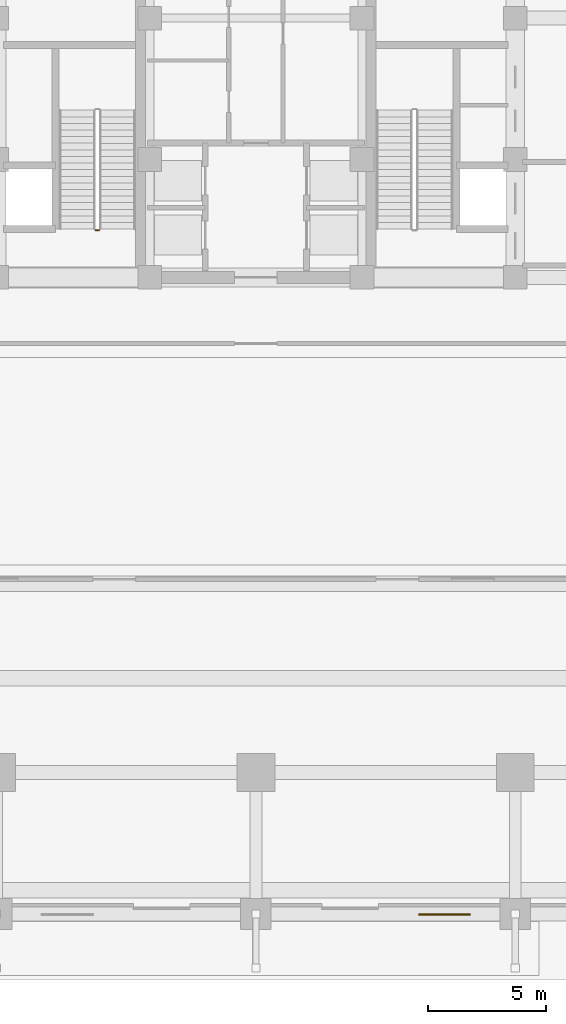
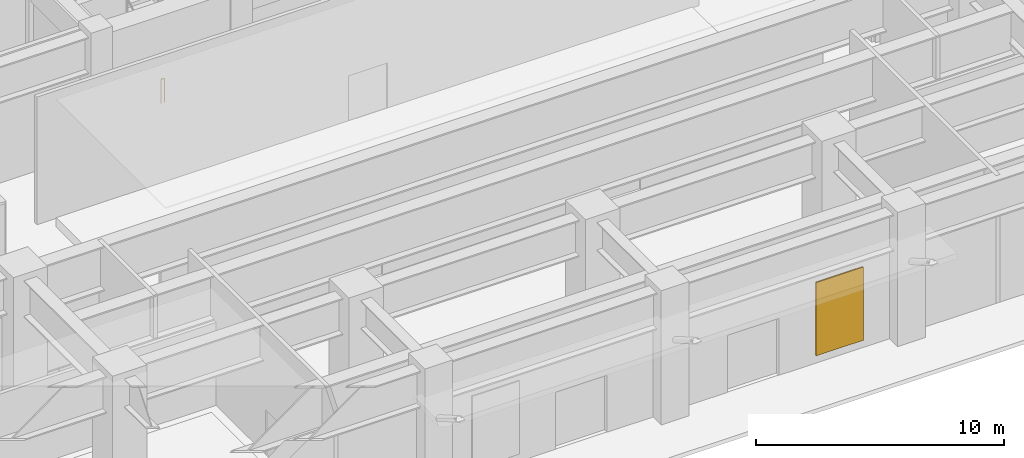
# One storey, part 16 of 21: 1 covering, 1 railing.
"""IFC4 building model written with IfcOpenShell, lengths in metres."""

from ifc_helpers import new_model, si_unit, direction, frame, origin, origin_2d, place, context, subcontext, project, spatial, rectangle, circle, extrude, source, transform, mapped, material, layer, layer_set, type_object, element, save


model = new_model("IFC4")

# Units and contexts
model_context = context("Model", 3, precision=1e-05, world=origin(), true_north=direction((0.0, 1.0)))
body_context = subcontext(model_context, "Body", "Model", "MODEL_VIEW")
ifc_project = project(units=[si_unit("LENGTHUNIT", "METRE"), si_unit("AREAUNIT", "SQUARE_METRE"), si_unit("VOLUMEUNIT", "CUBIC_METRE"), si_unit("PLANEANGLEUNIT", "RADIAN"), si_unit("MASSUNIT", "GRAM", prefix="KILO")], contexts=[model_context])

# Site, building, storey
site_placement = place(None, origin())
site = spatial("IfcSite", under=ifc_project, at=site_placement, CompositionType="ELEMENT")
building_placement = place(site_placement, origin())
building = spatial("IfcBuilding", under=site, at=building_placement, Name="Khorayat Bourse Tower", CompositionType="ELEMENT")
storey_placement = place(building_placement, origin())
storey = spatial("IfcBuildingStorey", under=building, at=storey_placement, Name="L00", CompositionType="ELEMENT", Elevation=0.0)

# Covering
ifc_material_1 = material(Name="Honed Omani desert limestone cladding", Category="masonry")
ifc_layer = layer(ifc_material_1, 0.06005859375)
ifc_layer_set = layer_set([ifc_layer], Name="Honed Omani desert limestone cladding")
covering_type = type_object("IfcCoveringType", Name="COV-CLAD-STONE", PredefinedType="CLADDING", material=ifc_layer_set)
shared_shape_1 = source(origin(), body_context, "Body", "SweptSolid", [
    extrude(rectangle(XDim=2.199951171875, YDim=0.06005859375, at=origin_2d()), origin(), (0.0, 0.0, 1.0), 3.60009765625),
])
covering_placement = place(storey_placement, frame((8.0, -38.030029296875, 0.39990234375), z_axis=(0.0, 0.0, 1.0), x_axis=(1.0, 0.0, 0.0)))
element("IfcCovering", 1, at=covering_placement, inside=storey, type_object=covering_type, Name="L00 Honed Limestone Pier Cladding 4", PredefinedType="CLADDING", context=body_context, shape_type="MappedRepresentation", body=[
    mapped(shared_shape_1, transform((0.0, 0.0, 0.0), scale=1.0)),
])

# Railing
ifc_material_2 = material(Name="Powder-coated steel balustrade", Category="steel")
railing_type = type_object("IfcRailingType", Name="RLG-GUARD-1200", PredefinedType="GUARDRAIL", material=ifc_material_2)
shared_shape_2 = source(origin(), body_context, "Body", "SweptSolid", [
    extrude(circle(Radius=0.02392578125, at=origin_2d()), frame((0.0, 0.0, 1.17578125), z_axis=(-1.0, 0.0, 0.0), x_axis=(0.0, -1.0, 0.0)), (0.0, 0.0, 1.0), 0.150146484375),
    extrude(circle(Radius=0.02099609375, at=origin_2d()), origin(), (0.0, 0.0, 1.0), 1.15185546875),
    extrude(circle(Radius=0.02099609375, at=origin_2d()), frame((-0.150146484375, 0.0, 0.0)), (0.0, 0.0, 1.0), 1.15185546875),
])
railing_placement = place(storey_placement, frame((-6.64990234375, -9.0, 0.0)))
element("IfcRailing", 2, at=railing_placement, inside=storey, type_object=railing_type, Name="L00 ST-1 stair guard 4", PredefinedType="GUARDRAIL", context=body_context, shape_type="MappedRepresentation", body=[
    mapped(shared_shape_2, transform((0.0, 0.0, 0.0), scale=1.0)),
])

save(model, "model.ifc")
